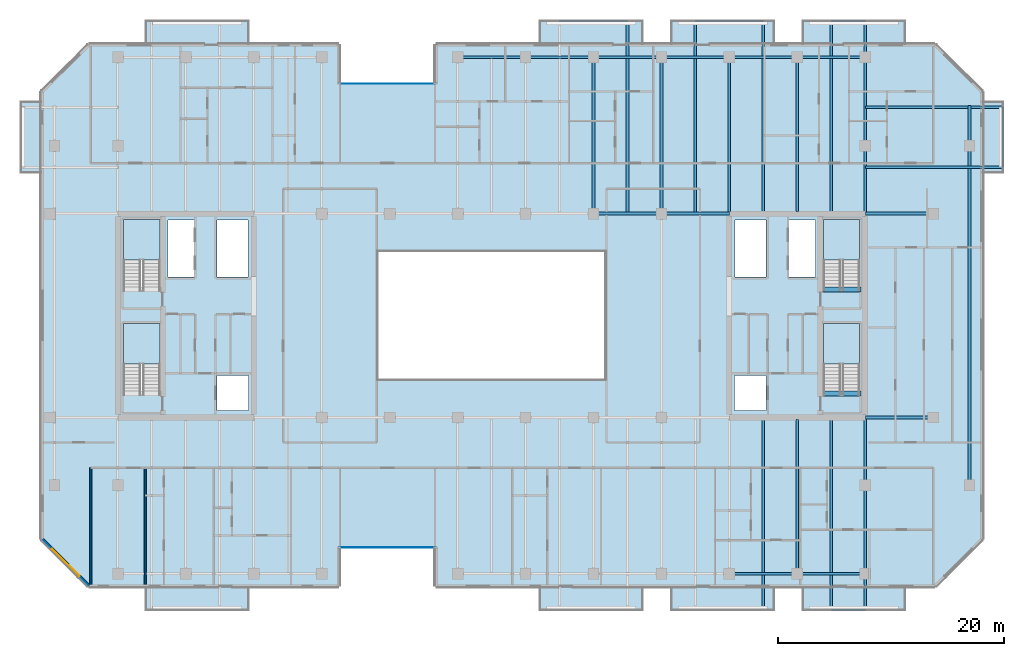
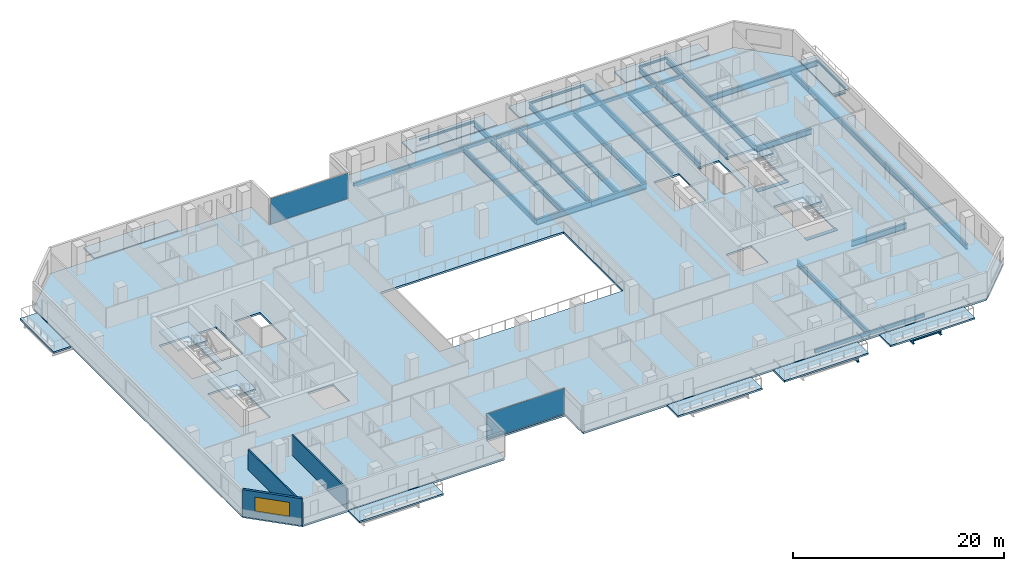
# One storey, part 9 of 23: 36 beams, 15 slabs, 3 walls, 2 plates, 1 window, 1 opening, 6 elements without a shape of their own.
"""IFC4 building model written with IfcOpenShell, lengths in metres."""

import ifcopenshell
import ifcopenshell.guid

model = None  # the IFC model being written
_history = None  # IfcOwnerHistory: only IFC2X3 demands one
_inside = {}  # id of a spatial element -> (the spatial element, [elements in it])
_under = {}  # id of a project, library or spatial element -> (it, [spatial elements below it])
_declared = {}  # id of a project -> (the project, [libraries it declares])
_typed = {}  # id of a type object -> (the type object, [elements of that type])
_made_of = {}  # id of a material, layer set ... -> (it, [elements and type objects made of it])


def new_model(schema):
    """Start an empty IFC model of exactly this schema.

    Asked for "IFC4X3", IfcOpenShell would pick the latest addendum, in which some entities
    have other attributes; the version numbers below select the first issue.
    IFC2X3 requires an IfcOwnerHistory on every rooted entity: one is made here for all.
    """
    global model, _history
    if schema == "IFC4X3":
        model = ifcopenshell.file(schema_version=(4, 3, 0, 0))
    else:
        model = ifcopenshell.file(schema=schema)
    _inside.clear()
    _under.clear()
    _declared.clear()
    _typed.clear()
    _made_of.clear()
    _history = None
    if model.schema == "IFC2X3":
        org = make("IfcOrganization", Name="unknown")
        user = make(
            "IfcPersonAndOrganization",
            ThePerson=make("IfcPerson", FamilyName="unknown"),
            TheOrganization=org,
        )
        app = make(
            "IfcApplication",
            ApplicationDeveloper=org,
            Version="unknown",
            ApplicationFullName="unknown",
            ApplicationIdentifier="unknown",
        )
        _history = make(
            "IfcOwnerHistory",
            OwningUser=user,
            OwningApplication=app,
            ChangeAction="ADDED",
            CreationDate=0,
        )
    return model


def make(cls, **values):
    """One entity of the class cls with the attributes given. An attribute that is None is left unset."""
    return model.create_entity(
        cls, **{name: value for name, value in values.items() if value is not None}
    )


def rooted(cls, **values):
    """An entity with a GlobalId (a new one), such as an element, a storey or a relation."""
    return make(cls, GlobalId=ifcopenshell.guid.new(), OwnerHistory=_history, **values)


def si_unit(unit_type, name, prefix=None):
    """IfcSIUnit, for example si_unit("LENGTHUNIT", "METRE", prefix="MILLI")."""
    return make("IfcSIUnit", UnitType=unit_type, Prefix=prefix, Name=name)


def assignment(units):
    """IfcUnitAssignment: the units of a project."""
    return None if units is None else make("IfcUnitAssignment", Units=units)


def point(xyz):
    """IfcCartesianPoint."""
    return None if xyz is None else make("IfcCartesianPoint", Coordinates=xyz)


def direction(xyz):
    """IfcDirection."""
    return None if xyz is None else make("IfcDirection", DirectionRatios=xyz)


def frame(location, z_axis=None, x_axis=None):
    """IfcAxis2Placement3D, a coordinate frame: its origin and axes. An axis left out is left unset."""
    return make(
        "IfcAxis2Placement3D",
        Location=point(location),
        Axis=direction(z_axis),
        RefDirection=direction(x_axis),
    )


def frame_2d(location, x_axis=None):
    """IfcAxis2Placement2D, a coordinate frame in the plane: its origin and x axis."""
    return make(
        "IfcAxis2Placement2D", Location=point(location), RefDirection=direction(x_axis)
    )


def origin():
    """The frame at (0, 0, 0) with its axes left unset."""
    return frame((0.0, 0.0, 0.0))


def origin_2d():
    """The frame at (0, 0) in the plane with its x axis left unset."""
    return frame_2d((0.0, 0.0))


def place(relative_to, where):
    """IfcLocalPlacement: puts the frame where relative to a parent placement (None: the world)."""
    return make(
        "IfcLocalPlacement", PlacementRelTo=relative_to, RelativePlacement=where
    )


def context(
    kind, dimensions, precision=None, world=None, true_north=None, identifier=None
):
    """IfcGeometricRepresentationContext, for example the 3D "Model" context."""
    return make(
        "IfcGeometricRepresentationContext",
        ContextIdentifier=identifier,
        ContextType=kind,
        CoordinateSpaceDimension=dimensions,
        Precision=precision,
        WorldCoordinateSystem=world,
        TrueNorth=true_north,
    )


def subcontext(parent, identifier, kind, view, scale=None):
    """IfcGeometricRepresentationSubContext, for example "Body" below "Model"."""
    return make(
        "IfcGeometricRepresentationSubContext",
        ContextIdentifier=identifier,
        ContextType=kind,
        ParentContext=parent,
        TargetScale=scale,
        TargetView=view,
    )


def project(units=None, contexts=None):
    """IfcProject with its units and contexts."""
    return rooted(
        "IfcProject",
        Name="project",
        RepresentationContexts=contexts,
        UnitsInContext=assignment(units),
    )


def spatial(cls, under=None, at=None, **own):
    """A site, building, storey or space (cls), placed at a placement, below another one or the project."""
    s = rooted(cls, ObjectPlacement=at, **own)
    if under is not None:
        _under.setdefault(under.id(), (under, []))[1].append(s)
    return s


def polyline(points):
    """IfcPolyline through the points."""
    return make("IfcPolyline", Points=[point(p) for p in points])


def profile(cls, at=None, kind="AREA", **sizes):
    """A parametric profile (cls). Its sizes go by their IFC names, for example OverallWidth=200.0."""
    return make(cls, ProfileType=kind, Position=at, **sizes)


def rectangle(**sizes):
    """IfcRectangleProfileDef."""
    return profile("IfcRectangleProfileDef", **sizes)


def hollow_rectangle(**sizes):
    """IfcRectangleHollowProfileDef."""
    return profile("IfcRectangleHollowProfileDef", **sizes)


def i_section(**sizes):
    """IfcIShapeProfileDef."""
    return profile("IfcIShapeProfileDef", **sizes)


def outline(outer, holes=None, kind="AREA"):
    """IfcArbitraryClosedProfileDef: a profile drawn as a closed curve; with holes, ...WithVoids."""
    if holes is None:
        return make("IfcArbitraryClosedProfileDef", ProfileType=kind, OuterCurve=outer)
    return make(
        "IfcArbitraryProfileDefWithVoids",
        ProfileType=kind,
        OuterCurve=outer,
        InnerCurves=holes,
    )


def extrude(swept, where, along, depth):
    """IfcExtrudedAreaSolid: the profile swept, set in the frame where, extruded along a direction by depth."""
    return make(
        "IfcExtrudedAreaSolid",
        SweptArea=swept,
        Position=where,
        ExtrudedDirection=direction(along),
        Depth=depth,
    )


def shape(context_of_items, identifier, shape_type, items):
    """IfcShapeRepresentation: the items that make up one representation, for example the "Body"."""
    return make(
        "IfcShapeRepresentation",
        ContextOfItems=context_of_items,
        RepresentationIdentifier=identifier,
        RepresentationType=shape_type,
        Items=items,
    )


def material(Name=None, Category=None):
    """IfcMaterial."""
    return make("IfcMaterial", Name=Name, Category=Category)


def layer(
    of_material, thickness, ventilated=None, Name=None, Category=None, Priority=None
):
    """IfcMaterialLayer: one layer of a wall or slab, of a material (None: an air gap)."""
    return make(
        "IfcMaterialLayer",
        Material=of_material,
        LayerThickness=thickness,
        IsVentilated=ventilated,
        Name=Name,
        Category=Category,
        Priority=Priority,
    )


def layer_set(layers, Name=None):
    """IfcMaterialLayerSet."""
    return make("IfcMaterialLayerSet", MaterialLayers=layers, LayerSetName=Name)


def material_profile(
    of_material, cross_section, Name=None, Category=None, Priority=None
):
    """IfcMaterialProfile: a cross section and its material."""
    return make(
        "IfcMaterialProfile",
        Name=Name,
        Material=of_material,
        Profile=cross_section,
        Priority=Priority,
        Category=Category,
    )


def profile_set(profiles, Name=None, composite=None):
    """IfcMaterialProfileSet."""
    return make(
        "IfcMaterialProfileSet",
        Name=Name,
        MaterialProfiles=profiles,
        CompositeProfile=composite,
    )


def made_of(thing, what):
    """Note that an element or type object is made of a material, layer set ...; save() writes the relation."""
    if what is not None:
        _made_of.setdefault(what.id(), (what, []))[1].append(thing)
    return thing


def type_object(cls, material=None, **own):
    """A type object (cls), such as IfcWallType, which elements share."""
    return made_of(rooted(cls, **own), material)


def element(
    cls,
    number,
    at=None,
    inside=None,
    cuts=None,
    type_object=None,
    material=None,
    context=None,
    identifier="Body",
    shape_type=None,
    held_by="IfcProductDefinitionShape",
    body=None,
    shapes=None,
    **own,
):
    """One element of the class cls, such as IfcWall. Its Tag is "e" and its number.

    at: its placement. inside: the storey or other place that contains it. cuts: it is an
    opening in that element (IfcRelVoidsElement). A single representation is given by context,
    identifier, shape_type and body (its items); several are given by shapes. held_by: the class
    of the entity that holds the representations. save() writes the other relations.
    """
    e = rooted(cls, Tag="e%d" % number, ObjectPlacement=at, **own)
    if body is not None:
        shapes = [shape(context, identifier, shape_type, body)]
    if shapes is not None:
        e.Representation = make(held_by, Representations=shapes)
    if inside is not None:
        _inside.setdefault(inside.id(), (inside, []))[1].append(e)
    if cuts is not None:
        rooted(
            "IfcRelVoidsElement", RelatingBuildingElement=cuts, RelatedOpeningElement=e
        )
    if type_object is not None:
        _typed.setdefault(type_object.id(), (type_object, []))[1].append(e)
    return made_of(e, material)


def fill(opening, filler):
    """IfcRelFillsElement: the door or window that sits in an opening."""
    return rooted(
        "IfcRelFillsElement",
        RelatingOpeningElement=opening,
        RelatedBuildingElement=filler,
    )


def aggregate(whole, parts):
    """IfcRelAggregates: a whole, such as a stair, and the parts it consists of."""
    return rooted("IfcRelAggregates", RelatingObject=whole, RelatedObjects=parts)


def save(model, path):
    """Write the relations noted so far, then the file.

    IfcRelAggregates (storeys below a building ...), IfcRelContainedInSpatialStructure (elements
    in a storey), IfcRelDefinesByType, IfcRelAssociatesMaterial and IfcRelDeclares: one each for
    every whole, place, type object, material and project.
    """
    for whole, parts in _under.values():
        aggregate(whole, parts)
    for where, things in _inside.values():
        rooted(
            "IfcRelContainedInSpatialStructure",
            RelatedElements=things,
            RelatingStructure=where,
        )
    for kind, things in _typed.values():
        rooted("IfcRelDefinesByType", RelatedObjects=things, RelatingType=kind)
    for what, things in _made_of.values():
        rooted("IfcRelAssociatesMaterial", RelatedObjects=things, RelatingMaterial=what)
    for by, libraries in _declared.values():
        rooted("IfcRelDeclares", RelatingContext=by, RelatedDefinitions=libraries)
    model.write(path)


model = new_model("IFC4")

# Units and contexts
model_context = context("Model", 3, precision=1e-05, world=origin(), true_north=direction((0.0, 1.0)))
body_context = subcontext(model_context, "Body", "Model", "MODEL_VIEW")
ifc_project = project(units=[si_unit("LENGTHUNIT", "METRE"), si_unit("AREAUNIT", "SQUARE_METRE"), si_unit("VOLUMEUNIT", "CUBIC_METRE"), si_unit("PLANEANGLEUNIT", "RADIAN"), si_unit("MASSUNIT", "GRAM", prefix="KILO")], contexts=[model_context])

# Site, building, storey
site_placement = place(None, origin())
site = spatial("IfcSite", under=ifc_project, at=site_placement, CompositionType="ELEMENT")
building_placement = place(site_placement, origin())
building = spatial("IfcBuilding", under=site, at=building_placement, Name="Tanjung Sevakor Pilgrim Tower", CompositionType="ELEMENT")
storey_placement = place(building_placement, frame((0.0, 0.0, 88.77001953125)))
storey = spatial("IfcBuildingStorey", under=building, at=storey_placement, Name="L24", CompositionType="ELEMENT", Elevation=88.77001953125)

# Beams
ifc_material_1 = material(Name="Steel S355J2", Category="steel")
ifc_material_profile_1 = material_profile(ifc_material_1, i_section(OverallWidth=0.25439453125, OverallDepth=0.6875, WebThickness=0.01318359375, FlangeThickness=0.02099609375, FilletRadius=0.01513671875, at=origin_2d()))
ifc_profile_set_1 = profile_set([ifc_material_profile_1], Name="Steel S355J2")
beam_type_1 = type_object("IfcBeamType", Name="BM-B-G2-UB_686x254x152", PredefinedType="BEAM", material=ifc_profile_set_1)
for number, where, z_axis, x_axis, name in (
    (1, (90.0, 24.60009765625, -0.563720703125), (1.0, 0.0, 0.0), (0.0, 1.0, 0.0), "L24 Primary Floor Girder MAIN Y246-09"),
    (2, (66.0, 42.60009765625, -0.563720703125), (1.0, 0.0, 0.0), (0.0, 1.0, 0.0), "L24 Primary Floor Girder MAIN Y426-07"),
    (3, (72.0, 42.60009765625, -0.563720703125), (1.0, 0.0, 0.0), (0.0, 1.0, 0.0), "L24 Primary Floor Girder MAIN Y426-08"),
    (4, (90.0, 42.60009765625, -0.563720703125), (1.0, 0.0, 0.0), (0.0, 1.0, 0.0), "L24 Primary Floor Girder MAIN Y426-09"),
):
    element("IfcBeam", number, at=place(storey_placement, frame(where, z_axis=z_axis, x_axis=x_axis)), inside=storey, type_object=beam_type_1, Name=name, PredefinedType="BEAM", context=body_context, shape_type="SweptSolid", body=[
        extrude(i_section(OverallWidth=0.25439453125, OverallDepth=0.6875, WebThickness=0.01318359375, FlangeThickness=0.02099609375, FilletRadius=0.01513671875, at=origin_2d()), origin(), (0.0, 0.0, 1.0), 6.0),
    ])
ifc_material_2 = material(Name="Steel S355J2", Category="steel")
ifc_material_profile_2 = material_profile(ifc_material_2, i_section(OverallWidth=0.230224609375, OverallDepth=0.6171875, WebThickness=0.01318359375, FlangeThickness=0.022216796875, FilletRadius=0.0126953125, at=origin_2d()))
ifc_profile_set_2 = profile_set([ifc_material_profile_2], Name="Steel S355J2")
beam_type_2 = type_object("IfcBeamType", Name="BM-B-G3-UB_610x229x140", PredefinedType="BEAM", material=ifc_profile_set_2)
for number, where, z_axis, x_axis, name in (
    (5, (66.0, 42.60009765625, -0.528564453125), (0.0, 1.0, 0.0), (-1.0, 0.0, 0.0), "L24 MAIN Girder 019"),
    (6, (72.0, 42.60009765625, -0.528564453125), (0.0, 1.0, 0.0), (-1.0, 0.0, 0.0), "L24 MAIN Girder 022"),
):
    element("IfcBeam", number, at=place(storey_placement, frame(where, z_axis=z_axis, x_axis=x_axis)), inside=storey, type_object=beam_type_2, Name=name, PredefinedType="BEAM", context=body_context, shape_type="SweptSolid", body=[
        extrude(i_section(OverallWidth=0.230224609375, OverallDepth=0.6171875, WebThickness=0.01318359375, FlangeThickness=0.022216796875, FilletRadius=0.0126953125, at=origin_2d()), origin(), (0.0, 0.0, 1.0), 13.7998046875),
    ])
for number, where, z_axis, x_axis, name in (
    (7, (78.0, 42.727294921875, -0.528564453125), (0.0, 1.0, 0.0), (-1.0, 0.0, 0.0), "L24 MAIN Girder 024"),
    (8, (84.0, 10.800048828125, -0.528564453125), (0.0, 1.0, 0.0), (-1.0, 0.0, 0.0), "L24 MAIN Girder 025"),
    (9, (84.0, 42.727294921875, -0.528564453125), (0.0, 1.0, 0.0), (-1.0, 0.0, 0.0), "L24 MAIN Girder 026"),
):
    element("IfcBeam", number, at=place(storey_placement, frame(where, z_axis=z_axis, x_axis=x_axis)), inside=storey, type_object=beam_type_2, Name=name, PredefinedType="BEAM", context=body_context, shape_type="SweptSolid", body=[
        extrude(i_section(OverallWidth=0.230224609375, OverallDepth=0.6171875, WebThickness=0.01318359375, FlangeThickness=0.022216796875, FilletRadius=0.0126953125, at=origin_2d()), origin(), (0.0, 0.0, 1.0), 13.672607421875),
    ])
beam_1_placement = place(storey_placement, frame((90.0, 24.47265625, -0.528564453125), z_axis=(0.0, -1.0, 0.0), x_axis=(1.0, 0.0, 0.0)))
element("IfcBeam", 10, at=beam_1_placement, inside=storey, type_object=beam_type_2, Name="L24 Balcony Cantilever Beam MAIN-S4-2", PredefinedType="BEAM", context=body_context, shape_type="SweptSolid", body=[
    extrude(i_section(OverallWidth=0.230224609375, OverallDepth=0.6171875, WebThickness=0.01318359375, FlangeThickness=0.022216796875, FilletRadius=0.0126953125, at=origin_2d()), origin(), (0.0, 0.0, 1.0), 16.8525390625),
])
beam_2_placement = place(storey_placement, frame((90.0, 42.727294921875, -0.528564453125), z_axis=(0.0, 1.0, 0.0), x_axis=(-1.0, 0.0, 0.0)))
element("IfcBeam", 11, at=beam_2_placement, inside=storey, type_object=beam_type_2, Name="L24 Balcony Cantilever Beam MAIN-N4-2", PredefinedType="BEAM", context=body_context, shape_type="SweptSolid", body=[
    extrude(i_section(OverallWidth=0.230224609375, OverallDepth=0.6171875, WebThickness=0.01318359375, FlangeThickness=0.022216796875, FilletRadius=0.0126953125, at=origin_2d()), origin(), (0.0, 0.0, 1.0), 16.852783203125),
])
ifc_material_3 = material(Name="Steel S355J2", Category="steel")
ifc_material_profile_3 = material_profile(ifc_material_3, i_section(OverallWidth=0.22900390625, OverallDepth=0.6123046875, WebThickness=0.011962890625, FlangeThickness=0.01953125, FilletRadius=0.0126953125, at=origin_2d()))
ifc_profile_set_3 = profile_set([ifc_material_profile_3], Name="Steel S355J2")
beam_type_3 = type_object("IfcBeamType", Name="BM-B-G4-UB_610x229x125", PredefinedType="BEAM", material=ifc_profile_set_3)
beam_3_placement = place(storey_placement, frame((99.199951171875, 18.60009765625, -0.526123046875), z_axis=(0.0, 1.0, 0.0), x_axis=(-1.0, 0.0, 0.0)))
element("IfcBeam", 12, at=beam_3_placement, inside=storey, type_object=beam_type_3, Name="L24 Short-End Edge Girder E", PredefinedType="BEAM", context=body_context, shape_type="SweptSolid", body=[
    extrude(i_section(OverallWidth=0.22900390625, OverallDepth=0.6123046875, WebThickness=0.011962890625, FlangeThickness=0.01953125, FilletRadius=0.0126953125, at=origin_2d()), origin(), (0.0, 0.0, 1.0), 30.0),
])
beam_4_placement = place(storey_placement, frame((99.199951171875, 48.60009765625, -0.526123046875), z_axis=(0.0, 1.0, 0.0), x_axis=(-1.0, 0.0, 0.0)))
element("IfcBeam", 13, at=beam_4_placement, inside=storey, type_object=beam_type_3, Name="L24 Short-End Edge Extension N-E", PredefinedType="BEAM", context=body_context, shape_type="SweptSolid", body=[
    extrude(i_section(OverallWidth=0.22900390625, OverallDepth=0.6123046875, WebThickness=0.011962890625, FlangeThickness=0.01953125, FilletRadius=0.0126953125, at=origin_2d()), origin(), (0.0, 0.0, 1.0), 3.5498046875),
])
for number, where, z_axis, x_axis, name in (
    (14, (90.0, 46.699951171875, -0.526123046875), (1.0, 0.0, 0.0), (0.0, 1.0, 0.0), "L24 Balcony Overhanging Beam MAIN-E1-1"),
    (15, (90.0, 52.0, -0.526123046875), (1.0, 0.0, 0.0), (0.0, 1.0, 0.0), "L24 Balcony Overhanging Beam MAIN-E1-2"),
):
    element("IfcBeam", number, at=place(storey_placement, frame(where, z_axis=z_axis, x_axis=x_axis)), inside=storey, type_object=beam_type_3, Name=name, PredefinedType="BEAM", context=body_context, shape_type="SweptSolid", body=[
        extrude(i_section(OverallWidth=0.22900390625, OverallDepth=0.6123046875, WebThickness=0.011962890625, FlangeThickness=0.01953125, FilletRadius=0.0126953125, at=origin_2d()), origin(), (0.0, 0.0, 1.0), 12.1298828125),
    ])
for number, where, z_axis, x_axis, name in (
    (16, (69.0, 42.727294921875, -0.526123046875), (0.0, 1.0, 0.0), (-1.0, 0.0, 0.0), "L24 Balcony Cantilever Beam MAIN-N2-2"),
    (17, (75.0, 42.727294921875, -0.526123046875), (0.0, 1.0, 0.0), (-1.0, 0.0, 0.0), "L24 Balcony Cantilever Beam MAIN-N3-1"),
):
    element("IfcBeam", number, at=place(storey_placement, frame(where, z_axis=z_axis, x_axis=x_axis)), inside=storey, type_object=beam_type_3, Name=name, PredefinedType="BEAM", context=body_context, shape_type="SweptSolid", body=[
        extrude(i_section(OverallWidth=0.22900390625, OverallDepth=0.6123046875, WebThickness=0.011962890625, FlangeThickness=0.01953125, FilletRadius=0.0126953125, at=origin_2d()), origin(), (0.0, 0.0, 1.0), 16.852783203125),
    ])
beam_5_placement = place(storey_placement, frame((81.0, 24.47265625, -0.526123046875), z_axis=(0.0, -1.0, 0.0), x_axis=(1.0, 0.0, 0.0)))
element("IfcBeam", 18, at=beam_5_placement, inside=storey, type_object=beam_type_3, Name="L24 Balcony Cantilever Beam MAIN-S3-2", PredefinedType="BEAM", context=body_context, shape_type="SweptSolid", body=[
    extrude(i_section(OverallWidth=0.22900390625, OverallDepth=0.6123046875, WebThickness=0.011962890625, FlangeThickness=0.01953125, FilletRadius=0.0126953125, at=origin_2d()), origin(), (0.0, 0.0, 1.0), 16.8525390625),
])
beam_6_placement = place(storey_placement, frame((81.0, 42.727294921875, -0.526123046875), z_axis=(0.0, 1.0, 0.0), x_axis=(-1.0, 0.0, 0.0)))
element("IfcBeam", 19, at=beam_6_placement, inside=storey, type_object=beam_type_3, Name="L24 Balcony Cantilever Beam MAIN-N3-2", PredefinedType="BEAM", context=body_context, shape_type="SweptSolid", body=[
    extrude(i_section(OverallWidth=0.22900390625, OverallDepth=0.6123046875, WebThickness=0.011962890625, FlangeThickness=0.01953125, FilletRadius=0.0126953125, at=origin_2d()), origin(), (0.0, 0.0, 1.0), 16.852783203125),
])
beam_7_placement = place(storey_placement, frame((87.0, 24.47265625, -0.526123046875), z_axis=(0.0, -1.0, 0.0), x_axis=(1.0, 0.0, 0.0)))
element("IfcBeam", 20, at=beam_7_placement, inside=storey, type_object=beam_type_3, Name="L24 Balcony Cantilever Beam MAIN-S4-1", PredefinedType="BEAM", context=body_context, shape_type="SweptSolid", body=[
    extrude(i_section(OverallWidth=0.22900390625, OverallDepth=0.6123046875, WebThickness=0.011962890625, FlangeThickness=0.01953125, FilletRadius=0.0126953125, at=origin_2d()), origin(), (0.0, 0.0, 1.0), 16.8525390625),
])
beam_8_placement = place(storey_placement, frame((87.0, 42.727294921875, -0.526123046875), z_axis=(0.0, 1.0, 0.0), x_axis=(-1.0, 0.0, 0.0)))
element("IfcBeam", 21, at=beam_8_placement, inside=storey, type_object=beam_type_3, Name="L24 Balcony Cantilever Beam MAIN-N4-1", PredefinedType="BEAM", context=body_context, shape_type="SweptSolid", body=[
    extrude(i_section(OverallWidth=0.22900390625, OverallDepth=0.6123046875, WebThickness=0.011962890625, FlangeThickness=0.01953125, FilletRadius=0.0126953125, at=origin_2d()), origin(), (0.0, 0.0, 1.0), 16.852783203125),
])
ifc_material_4 = material(Name="Steel S355J2", Category="steel")
ifc_material_profile_4 = material_profile(ifc_material_4, i_section(OverallWidth=0.146484375, OverallDepth=0.256103515625, WebThickness=0.00634765625, FlangeThickness=0.010986328125, FilletRadius=0.007568359375, at=origin_2d()))
ifc_profile_set_4 = profile_set([ifc_material_profile_4], Name="Steel S355J2")
beam_type_4 = type_object("IfcBeamType", Name="BM-B-J6-UB_254x146x37", PredefinedType="JOIST", material=ifc_profile_set_4)
for number, where, z_axis, x_axis, name in (
    (22, (63.0, 59.580078125, -0.328125), (1.0, 0.0, 0.0), (0.0, 1.0, 0.0), "L24 Balcony Rim Tie MAIN-N2"),
    (23, (75.0, 59.580078125, -0.328125), (1.0, 0.0, 0.0), (0.0, 1.0, 0.0), "L24 Balcony Rim Tie MAIN-N3"),
):
    element("IfcBeam", number, at=place(storey_placement, frame(where, z_axis=z_axis, x_axis=x_axis)), inside=storey, type_object=beam_type_4, Name=name, PredefinedType="JOIST", context=body_context, shape_type="SweptSolid", body=[
        extrude(i_section(OverallWidth=0.146484375, OverallDepth=0.256103515625, WebThickness=0.00634765625, FlangeThickness=0.010986328125, FilletRadius=0.007568359375, at=origin_2d()), origin(), (0.0, 0.0, 1.0), 6.0),
    ])
for number, where, z_axis, x_axis, name in (
    (24, (87.0, 7.6201171875, -0.328125), (1.0, 0.0, 0.0), (0.0, 1.0, 0.0), "L24 Balcony Rim Tie MAIN-S4"),
    (25, (87.0, 59.580078125, -0.328125), (1.0, 0.0, 0.0), (0.0, 1.0, 0.0), "L24 Balcony Rim Tie MAIN-N4"),
):
    element("IfcBeam", number, at=place(storey_placement, frame(where, z_axis=z_axis, x_axis=x_axis)), inside=storey, type_object=beam_type_4, Name=name, PredefinedType="JOIST", context=body_context, shape_type="SweptSolid", body=[
        extrude(i_section(OverallWidth=0.146484375, OverallDepth=0.256103515625, WebThickness=0.00634765625, FlangeThickness=0.010986328125, FilletRadius=0.007568359375, at=origin_2d()), origin(), (0.0, 0.0, 1.0), 3.0),
    ])
beam_9_placement = place(storey_placement, frame((102.1298828125, 46.699951171875, -0.328125), z_axis=(0.0, 1.0, 0.0), x_axis=(-1.0, 0.0, 0.0)))
element("IfcBeam", 26, at=beam_9_placement, inside=storey, type_object=beam_type_4, Name="L24 Balcony Rim Tie MAIN-E1", PredefinedType="JOIST", context=body_context, shape_type="SweptSolid", body=[
    extrude(i_section(OverallWidth=0.146484375, OverallDepth=0.256103515625, WebThickness=0.00634765625, FlangeThickness=0.010986328125, FilletRadius=0.007568359375, at=origin_2d()), origin(), (0.0, 0.0, 1.0), 5.300048828125),
])
ifc_material_5 = material(Name="Concrete C60/75", Category="concrete")
ifc_material_profile_5 = material_profile(ifc_material_5, rectangle(XDim=0.449951171875, YDim=0.699951171875, at=origin_2d()))
ifc_profile_set_5 = profile_set([ifc_material_profile_5], Name="Concrete C60/75")
beam_type_5 = type_object("IfcBeamType", Name="BM-B-LN3-RC-BM_450x700", PredefinedType="LINTEL", material=ifc_profile_set_5)
for number, where, z_axis, x_axis, name in (
    (27, (86.199951171875, 26.699951171875, -0.35009765625), (1.0, 0.0, 0.0), (0.0, 1.0, 0.0), "L24 TS-E1 Stair Threshold Beam"),
    (28, (86.199951171875, 35.89990234375, -0.35009765625), (1.0, 0.0, 0.0), (0.0, 1.0, 0.0), "L24 TS-E2 Stair Threshold Beam"),
):
    element("IfcBeam", number, at=place(storey_placement, frame(where, z_axis=z_axis, x_axis=x_axis)), inside=storey, type_object=beam_type_5, Name=name, PredefinedType="LINTEL", context=body_context, shape_type="SweptSolid", body=[
        extrude(rectangle(XDim=0.449951171875, YDim=0.699951171875, at=origin_2d()), origin(), (0.0, 0.0, 1.0), 3.400146484375),
    ])
ifc_material_6 = material(Name="Steel S355J2", Category="steel")
ifc_material_profile_6 = material_profile(ifc_material_6, hollow_rectangle(XDim=0.199951171875, YDim=0.39990234375, WallThickness=0.01611328125, at=origin_2d()))
ifc_profile_set_6 = profile_set([ifc_material_profile_6], Name="Steel S355J2")
beam_type_6 = type_object("IfcBeamType", Name="BM-B-SP2-RHS_400x200x16", PredefinedType="SPANDREL", material=ifc_profile_set_6)
for number, where, z_axis, x_axis, name in (
    (29, (54.0, 56.39990234375, -0.419921875), (1.0, 0.0, 0.0), (0.0, 1.0, 0.0), "L24 Spandrel MAIN N-08"),
    (30, (60.0, 56.39990234375, -0.419921875), (1.0, 0.0, 0.0), (0.0, 1.0, 0.0), "L24 Spandrel MAIN N-10"),
    (31, (66.0, 56.39990234375, -0.419921875), (1.0, 0.0, 0.0), (0.0, 1.0, 0.0), "L24 Spandrel MAIN N-12"),
    (32, (72.0, 56.39990234375, -0.419921875), (1.0, 0.0, 0.0), (0.0, 1.0, 0.0), "L24 Spandrel MAIN N-14"),
    (33, (78.0, 10.800048828125, -0.419921875), (1.0, 0.0, 0.0), (0.0, 1.0, 0.0), "L24 Spandrel MAIN S-15"),
    (34, (78.0, 56.39990234375, -0.419921875), (1.0, 0.0, 0.0), (0.0, 1.0, 0.0), "L24 Spandrel MAIN N-16"),
    (35, (84.0, 10.800048828125, -0.419921875), (1.0, 0.0, 0.0), (0.0, 1.0, 0.0), "L24 Spandrel MAIN S-17"),
    (36, (84.0, 56.39990234375, -0.419921875), (1.0, 0.0, 0.0), (0.0, 1.0, 0.0), "L24 Spandrel MAIN N-18"),
):
    element("IfcBeam", number, at=place(storey_placement, frame(where, z_axis=z_axis, x_axis=x_axis)), inside=storey, type_object=beam_type_6, Name=name, PredefinedType="SPANDREL", context=body_context, shape_type="SweptSolid", body=[
        extrude(hollow_rectangle(XDim=0.199951171875, YDim=0.39990234375, WallThickness=0.01611328125, at=origin_2d()), origin(), (0.0, 0.0, 1.0), 6.0),
    ])

# Slabs
ifc_material_7 = material(Name="Concrete C40/50", Category="concrete")
ifc_layer_1 = layer(ifc_material_7, 0.199951171875)
ifc_layer_set_1 = layer_set([ifc_layer_1], Name="SL-BAL-200")
slab_type_1 = type_object("IfcSlabType", Name="SL-BAL-200", PredefinedType="FLOOR", material=ifc_layer_set_1)
slab_1_placement = place(storey_placement, frame((0.0, 0.0, -0.199951171875)))
element("IfcSlab", 37, at=slab_1_placement, inside=storey, type_object=slab_type_1, Name="L24 Planted Loggia Balcony MAIN-S1", PredefinedType="FLOOR", context=body_context, shape_type="SweptSolid", body=[
    extrude(outline(polyline([(26.39990234375, 7.5), (35.60009765625, 7.5), (35.60009765625, 9.60009765625), (26.39990234375, 9.60009765625), (26.39990234375, 7.5)])), origin(), (0.0, 0.0, 1.0), 0.199951171875),
])
slab_2_placement = place(storey_placement, frame((0.0, 0.0, -0.199951171875)))
element("IfcSlab", 38, at=slab_2_placement, inside=storey, type_object=slab_type_1, Name="L24 Planted Loggia Balcony MAIN-N1", PredefinedType="FLOOR", context=body_context, shape_type="SweptSolid", body=[
    extrude(outline(polyline([(26.39990234375, 57.60009765625), (35.60009765625, 57.60009765625), (35.60009765625, 59.699951171875), (26.39990234375, 59.699951171875), (26.39990234375, 57.60009765625)])), origin(), (0.0, 0.0, 1.0), 0.199951171875),
])
slab_3_placement = place(storey_placement, frame((0.0, 0.0, -0.199951171875)))
element("IfcSlab", 39, at=slab_3_placement, inside=storey, type_object=slab_type_1, Name="L24 Planted Loggia Balcony MAIN-S2", PredefinedType="FLOOR", context=body_context, shape_type="SweptSolid", body=[
    extrude(outline(polyline([(61.199951171875, 7.5), (70.39990234375, 7.5), (70.39990234375, 9.60009765625), (61.199951171875, 9.60009765625), (61.199951171875, 7.5)])), origin(), (0.0, 0.0, 1.0), 0.199951171875),
])
slab_4_placement = place(storey_placement, frame((0.0, 0.0, -0.199951171875)))
element("IfcSlab", 40, at=slab_4_placement, inside=storey, type_object=slab_type_1, Name="L24 Planted Loggia Balcony MAIN-N2", PredefinedType="FLOOR", context=body_context, shape_type="SweptSolid", body=[
    extrude(outline(polyline([(61.199951171875, 57.60009765625), (70.39990234375, 57.60009765625), (70.39990234375, 59.699951171875), (61.199951171875, 59.699951171875), (61.199951171875, 57.60009765625)])), origin(), (0.0, 0.0, 1.0), 0.199951171875),
])
slab_5_placement = place(storey_placement, frame((0.0, 0.0, -0.199951171875)))
element("IfcSlab", 41, at=slab_5_placement, inside=storey, type_object=slab_type_1, Name="L24 Planted Loggia Balcony MAIN-S3", PredefinedType="FLOOR", context=body_context, shape_type="SweptSolid", body=[
    extrude(outline(polyline([(72.800048828125, 7.5), (82.0, 7.5), (82.0, 9.60009765625), (72.800048828125, 9.60009765625), (72.800048828125, 7.5)])), origin(), (0.0, 0.0, 1.0), 0.199951171875),
])
slab_6_placement = place(storey_placement, frame((0.0, 0.0, -0.199951171875)))
element("IfcSlab", 42, at=slab_6_placement, inside=storey, type_object=slab_type_1, Name="L24 Planted Loggia Balcony MAIN-N3", PredefinedType="FLOOR", context=body_context, shape_type="SweptSolid", body=[
    extrude(outline(polyline([(72.800048828125, 57.60009765625), (82.0, 57.60009765625), (82.0, 59.699951171875), (72.800048828125, 59.699951171875), (72.800048828125, 57.60009765625)])), origin(), (0.0, 0.0, 1.0), 0.199951171875),
])
slab_7_placement = place(storey_placement, frame((0.0, 0.0, -0.199951171875)))
element("IfcSlab", 43, at=slab_7_placement, inside=storey, type_object=slab_type_1, Name="L24 Planted Loggia Balcony MAIN-S4", PredefinedType="FLOOR", context=body_context, shape_type="SweptSolid", body=[
    extrude(outline(polyline([(84.39990234375, 7.5), (93.60009765625, 7.5), (93.60009765625, 9.60009765625), (84.39990234375, 9.60009765625), (84.39990234375, 7.5)])), origin(), (0.0, 0.0, 1.0), 0.199951171875),
])
slab_8_placement = place(storey_placement, frame((0.0, 0.0, -0.199951171875)))
element("IfcSlab", 44, at=slab_8_placement, inside=storey, type_object=slab_type_1, Name="L24 Planted Loggia Balcony MAIN-N4", PredefinedType="FLOOR", context=body_context, shape_type="SweptSolid", body=[
    extrude(outline(polyline([(84.39990234375, 57.60009765625), (93.60009765625, 57.60009765625), (93.60009765625, 59.699951171875), (84.39990234375, 59.699951171875), (84.39990234375, 57.60009765625)])), origin(), (0.0, 0.0, 1.0), 0.199951171875),
])
slab_9_placement = place(storey_placement, frame((0.0, 0.0, -0.199951171875)))
element("IfcSlab", 45, at=slab_9_placement, inside=storey, type_object=slab_type_1, Name="L24 Planted Loggia Balcony MAIN-W1", PredefinedType="FLOOR", context=body_context, shape_type="SweptSolid", body=[
    extrude(outline(polyline([(15.35009765625, 46.14990234375), (17.199951171875, 46.14990234375), (17.199951171875, 52.550048828125), (15.35009765625, 52.550048828125), (15.35009765625, 46.14990234375)])), origin(), (0.0, 0.0, 1.0), 0.199951171875),
])
slab_10_placement = place(storey_placement, frame((0.0, 0.0, -0.199951171875)))
element("IfcSlab", 46, at=slab_10_placement, inside=storey, type_object=slab_type_1, Name="L24 Planted Loggia Balcony MAIN-E1", PredefinedType="FLOOR", context=body_context, shape_type="SweptSolid", body=[
    extrude(outline(polyline([(100.39990234375, 46.14990234375), (102.25, 46.14990234375), (102.25, 52.550048828125), (100.39990234375, 52.550048828125), (100.39990234375, 46.14990234375)])), origin(), (0.0, 0.0, 1.0), 0.199951171875),
])

# Stair, slab
ifc_material_8 = material(Name="Concrete C40/50", Category="concrete")
stair_type = type_object("IfcStairType", Name="STAIR-ST-CR150", PredefinedType="HALF_TURN_STAIR", material=ifc_material_8)
stair_1_placement = place(storey_placement, origin())
stair_1 = element("IfcStair", 47, at=stair_1_placement, inside=storey, type_object=stair_type, Name="L24 West Core Exit Stair 1", PredefinedType="HALF_TURN_STAIR")
ifc_material_9 = material(Name="Concrete C40/50", Category="concrete")
ifc_layer_2 = layer(ifc_material_9, 0.199951171875)
ifc_layer_set_2 = layer_set([ifc_layer_2], Name="SL-LAND-200")
slab_type_2 = type_object("IfcSlabType", Name="SL-LAND-200", PredefinedType="LANDING", material=ifc_layer_set_2)
slab_11_placement = place(storey_placement, frame((0.0, 0.0, 1.449951171875)))
slab_11 = element("IfcSlab", 48, at=slab_11_placement, type_object=slab_type_2, Name="TS-W1 landing 1", PredefinedType="LANDING", context=body_context, shape_type="SweptSolid", body=[
    extrude(outline(polyline([(27.699951171875, 29.300048828125), (27.699951171875, 32.89990234375), (24.5, 32.89990234375), (24.5, 29.300048828125), (27.699951171875, 29.300048828125)])), origin(), (0.0, 0.0, 1.0), 0.199951171875),
])
aggregate(stair_1, [slab_11])

stair_2_placement = place(storey_placement, origin())
stair_2 = element("IfcStair", 49, at=stair_2_placement, inside=storey, type_object=stair_type, Name="L24 West Core Exit Stair 2", PredefinedType="HALF_TURN_STAIR")
slab_12_placement = place(storey_placement, frame((0.0, 0.0, 1.449951171875)))
slab_12 = element("IfcSlab", 50, at=slab_12_placement, type_object=slab_type_2, Name="TS-W2 landing 1", PredefinedType="LANDING", context=body_context, shape_type="SweptSolid", body=[
    extrude(outline(polyline([(27.699951171875, 38.5), (27.699951171875, 42.10009765625), (24.5, 42.10009765625), (24.5, 38.5), (27.699951171875, 38.5)])), origin(), (0.0, 0.0, 1.0), 0.199951171875),
])
aggregate(stair_2, [slab_12])

stair_3_placement = place(storey_placement, origin())
stair_3 = element("IfcStair", 51, at=stair_3_placement, inside=storey, type_object=stair_type, Name="L24 East Core Exit Stair 1", PredefinedType="HALF_TURN_STAIR")
slab_13_placement = place(storey_placement, frame((0.0, 0.0, 1.449951171875)))
slab_13 = element("IfcSlab", 52, at=slab_13_placement, type_object=slab_type_2, Name="TS-E1 landing 1", PredefinedType="LANDING", context=body_context, shape_type="SweptSolid", body=[
    extrude(outline(polyline([(89.5, 29.300048828125), (89.5, 32.89990234375), (86.300048828125, 32.89990234375), (86.300048828125, 29.300048828125), (89.5, 29.300048828125)])), origin(), (0.0, 0.0, 1.0), 0.199951171875),
])
aggregate(stair_3, [slab_13])

stair_4_placement = place(storey_placement, origin())
stair_4 = element("IfcStair", 53, at=stair_4_placement, inside=storey, type_object=stair_type, Name="L24 East Core Exit Stair 2", PredefinedType="HALF_TURN_STAIR")
slab_14_placement = place(storey_placement, frame((0.0, 0.0, 1.449951171875)))
slab_14 = element("IfcSlab", 54, at=slab_14_placement, type_object=slab_type_2, Name="TS-E2 landing 1", PredefinedType="LANDING", context=body_context, shape_type="SweptSolid", body=[
    extrude(outline(polyline([(89.5, 38.5), (89.5, 42.10009765625), (86.300048828125, 42.10009765625), (86.300048828125, 38.5), (89.5, 38.5)])), origin(), (0.0, 0.0, 1.0), 0.199951171875),
])
aggregate(stair_4, [slab_14])

# Slab
ifc_material_10 = material(Name="Concrete C40/50", Category="concrete")
ifc_layer_3 = layer(ifc_material_10, 0.219970703125)
ifc_layer_set_3 = layer_set([ifc_layer_3], Name="SL-TWR-220")
slab_type_3 = type_object("IfcSlabType", Name="SL-TWR-220", PredefinedType="FLOOR", material=ifc_layer_set_3)
slab_15_placement = place(storey_placement, frame((0.0, 0.0, -0.219970703125)))
element("IfcSlab", 55, at=slab_15_placement, inside=storey, type_object=slab_type_3, Name="L24 Floor Slab MAIN", PredefinedType="FLOOR", context=body_context, shape_type="SweptSolid", body=[
    extrude(outline(polyline([(21.447021484375, 9.679931640625), (43.52001953125, 9.679931640625), (43.52001953125, 13.080078125), (52.080078125, 13.080078125), (52.080078125, 9.679931640625), (96.153076171875, 9.679931640625), (100.320068359375, 13.846923828125), (100.320068359375, 53.35302734375), (96.153076171875, 57.52001953125), (52.080078125, 57.52001953125), (52.080078125, 54.1201171875), (43.52001953125, 54.1201171875), (43.52001953125, 57.52001953125), (21.447021484375, 57.52001953125), (17.280029296875, 53.35302734375), (17.280029296875, 13.846923828125), (21.447021484375, 9.679931640625)]), holes=[polyline([(27.699951171875, 26.60009765625), (27.699951171875, 32.89990234375), (24.5, 32.89990234375), (24.5, 26.60009765625), (27.699951171875, 26.60009765625)]), polyline([(27.699951171875, 35.800048828125), (27.699951171875, 42.10009765625), (24.5, 42.10009765625), (24.5, 35.800048828125), (27.699951171875, 35.800048828125)]), polyline([(89.5, 26.60009765625), (89.5, 32.89990234375), (86.300048828125, 32.89990234375), (86.300048828125, 26.60009765625), (89.5, 26.60009765625)]), polyline([(89.5, 35.800048828125), (89.5, 42.10009765625), (86.300048828125, 42.10009765625), (86.300048828125, 35.800048828125), (89.5, 35.800048828125)]), polyline([(32.75, 25.199951171875), (35.550048828125, 25.199951171875), (35.550048828125, 28.300048828125), (32.75, 28.300048828125), (32.75, 25.199951171875)]), polyline([(28.39990234375, 37.0), (30.75, 37.0), (30.75, 42.050048828125), (28.39990234375, 42.050048828125), (28.39990234375, 37.0)]), polyline([(32.75, 37.0), (35.5, 37.0), (35.5, 42.050048828125), (32.75, 42.050048828125), (32.75, 37.0)]), polyline([(78.449951171875, 25.199951171875), (81.25, 25.199951171875), (81.25, 28.300048828125), (78.449951171875, 28.300048828125), (78.449951171875, 25.199951171875)]), polyline([(83.25, 37.0), (85.60009765625, 37.0), (85.60009765625, 42.050048828125), (83.25, 42.050048828125), (83.25, 37.0)]), polyline([(78.5, 37.0), (81.25, 37.0), (81.25, 42.050048828125), (78.5, 42.050048828125), (78.5, 37.0)]), polyline([(47.0, 28.0), (67.0, 28.0), (67.0, 39.199951171875), (47.0, 39.199951171875), (47.0, 28.0)])]), origin(), (0.0, 0.0, 1.0), 0.219970703125),
])

# Curtain wall, plate
ifc_material_11 = material(Name="Aluminium 6063-T6 and Low-E Glass", Category="aluminium")
ifc_layer_4 = layer(ifc_material_11, 0.179931640625)
ifc_layer_set_4 = layer_set([ifc_layer_4], Name="CW-SYS-CLEFT")
curtain_wall_type = type_object("IfcCurtainWallType", Name="CW-SYS-CLEFT", PredefinedType="NOTDEFINED", material=ifc_layer_set_4)
curtain_wall_1_placement = place(storey_placement, origin())
curtain_wall_1 = element("IfcCurtainWall", 56, at=curtain_wall_1_placement, inside=storey, type_object=curtain_wall_type, Name="L24 Curtain Wall CW-CLF-L24-2", PredefinedType="NOTDEFINED")
ifc_material_12 = material(Name="Laminated Low-E Double Glazing", Category="glass")
ifc_layer_5 = layer(ifc_material_12, 0.028076171875)
ifc_layer_set_5 = layer_set([ifc_layer_5], Name="TYPE-CWP-GLZ1")
plate_type = type_object("IfcPlateType", Name="TYPE-CWP-GLZ1", PredefinedType="CURTAIN_PANEL", material=ifc_layer_set_5)
plate_1_placement = place(storey_placement, frame((47.800048828125, 13.125, 0.06494140625), z_axis=(0.0, 0.0, 1.0), x_axis=(1.0, 0.0, 0.0)))
plate_1 = element("IfcPlate", 57, at=plate_1_placement, type_object=plate_type, Name="CW-CLF panel 1.1", PredefinedType="CURTAIN_PANEL", context=body_context, shape_type="SweptSolid", body=[
    extrude(rectangle(XDim=8.5, YDim=0.028076171875, at=origin_2d()), origin(), (0.0, 0.0, 1.0), 2.949951171875),
])
aggregate(curtain_wall_1, [plate_1])

curtain_wall_2_placement = place(storey_placement, origin())
curtain_wall_2 = element("IfcCurtainWall", 58, at=curtain_wall_2_placement, inside=storey, type_object=curtain_wall_type, Name="L24 Curtain Wall CW-CLF-L24-10", PredefinedType="NOTDEFINED")
plate_2_placement = place(storey_placement, frame((47.800048828125, 54.074951171875, 0.06494140625), z_axis=(0.0, 0.0, 1.0), x_axis=(-1.0, 0.0, 0.0)))
plate_2 = element("IfcPlate", 59, at=plate_2_placement, type_object=plate_type, Name="CW-CLF panel 1.1", PredefinedType="CURTAIN_PANEL", context=body_context, shape_type="SweptSolid", body=[
    extrude(rectangle(XDim=8.5, YDim=0.028076171875, at=origin_2d()), origin(), (0.0, 0.0, 1.0), 2.949951171875),
])
aggregate(curtain_wall_2, [plate_2])

# Walls
ifc_material_13 = material(Name="Concrete C40/50", Category="concrete")
ifc_layer_6 = layer(ifc_material_13, 0.14990234375)
ifc_layer_set_6 = layer_set([ifc_layer_6], Name="WT-COMP-150")
wall_type_1 = type_object("IfcWallType", Name="WT-COMP-150", PredefinedType="SOLIDWALL", material=ifc_layer_set_6)
for number, where, z_axis, x_axis, name in (
    (60, (21.60009765625, 9.85009765625, 0.0), (0.0, 0.0, 1.0), (0.0, 1.0, 0.0), "L24 Partition IW-L24-051"),
    (61, (26.410400390625, 9.85009765625, 0.0), (0.0, 0.0, 1.0), (0.0, 1.0, 0.0), "L24 Partition IW-L24-052"),
):
    element("IfcWall", number, at=place(storey_placement, frame(where, z_axis=z_axis, x_axis=x_axis)), inside=storey, type_object=wall_type_1, Name=name, PredefinedType="SOLIDWALL", context=body_context, shape_type="SweptSolid", body=[
        extrude(rectangle(XDim=10.2998046875, YDim=0.14990234375, at=frame_2d((5.14990234375, 0.0))), origin(), (0.0, 0.0, 1.0), 2.35009765625),
    ])

# Wall, opening, window
ifc_material_14 = material(Name="Precast concrete C45/55", Category="concrete")
ifc_layer_7 = layer(ifc_material_14, 0.25)
ifc_layer_set_7 = layer_set([ifc_layer_7], Name="WT-EW-STN3")
wall_type_2 = type_object("IfcWallType", Name="WT-EW-STN3", PredefinedType="SOLIDWALL", material=ifc_layer_set_7)
wall_placement = place(storey_placement, frame((17.324951171875, 13.851806640625, 0.0), z_axis=(0.0, 0.0, 1.0), x_axis=(0.707127696864, -0.70708586489, 0.0)))
wall = element("IfcWall", 62, at=wall_placement, inside=storey, type_object=wall_type_2, Name="L24 MAIN Sculpted Corner Wall 15", PredefinedType="SOLIDWALL", context=body_context, shape_type="SweptSolid", body=[
    extrude(rectangle(XDim=5.836181640625, YDim=0.25, at=frame_2d((2.91796875, 0.0))), origin(), (0.0, 0.0, 1.0), 3.080078125),
])
opening_placement = place(wall_placement, frame((1.218017578125, 0.0, 0.780029296875)))
opening = element("IfcOpeningElement", 63, at=opening_placement, cuts=wall, Name="Opening WN-CHM-1660", PredefinedType="OPENING", context=body_context, shape_type="SweptSolid", body=[
    extrude(rectangle(XDim=3.39990234375, YDim=1.659912109375, at=frame_2d((1.699951171875, 0.830078125))), frame((0.0, 0.135009765625, 0.0), z_axis=(0.0, -1.0, 0.0), x_axis=(1.0, 0.0, 0.0)), (0.0, 0.0, 1.0), 0.27001953125),
])
ifc_material_15 = material(Name="Thermally Broken Aluminium and Low-E Glass", Category="aluminium")
window_type = type_object("IfcWindowType", Name="WTYP-WN-CHM-1660", PartitioningType="DOUBLE_PANEL_VERTICAL", PredefinedType="WINDOW", material=ifc_material_15)
window_placement = place(opening_placement, origin())
window = element("IfcWindow", 64, at=window_placement, inside=storey, type_object=window_type, Name="L24 Facade Window 01", OverallHeight=1.659912109375, OverallWidth=3.39990234375, PartitioningType="SINGLE_PANEL", PredefinedType="WINDOW", context=body_context, shape_type="SweptSolid", body=[
    extrude(rectangle(XDim=3.39990234375, YDim=1.659912109375, at=frame_2d((1.699951171875, 0.830078125))), frame((0.0, 0.030029296875, 0.0), z_axis=(0.0, -1.0, 0.0), x_axis=(1.0, 0.0, 0.0)), (0.0, 0.0, 1.0), 0.06005859375),
])
fill(opening, window)

save(model, "model.ifc")
